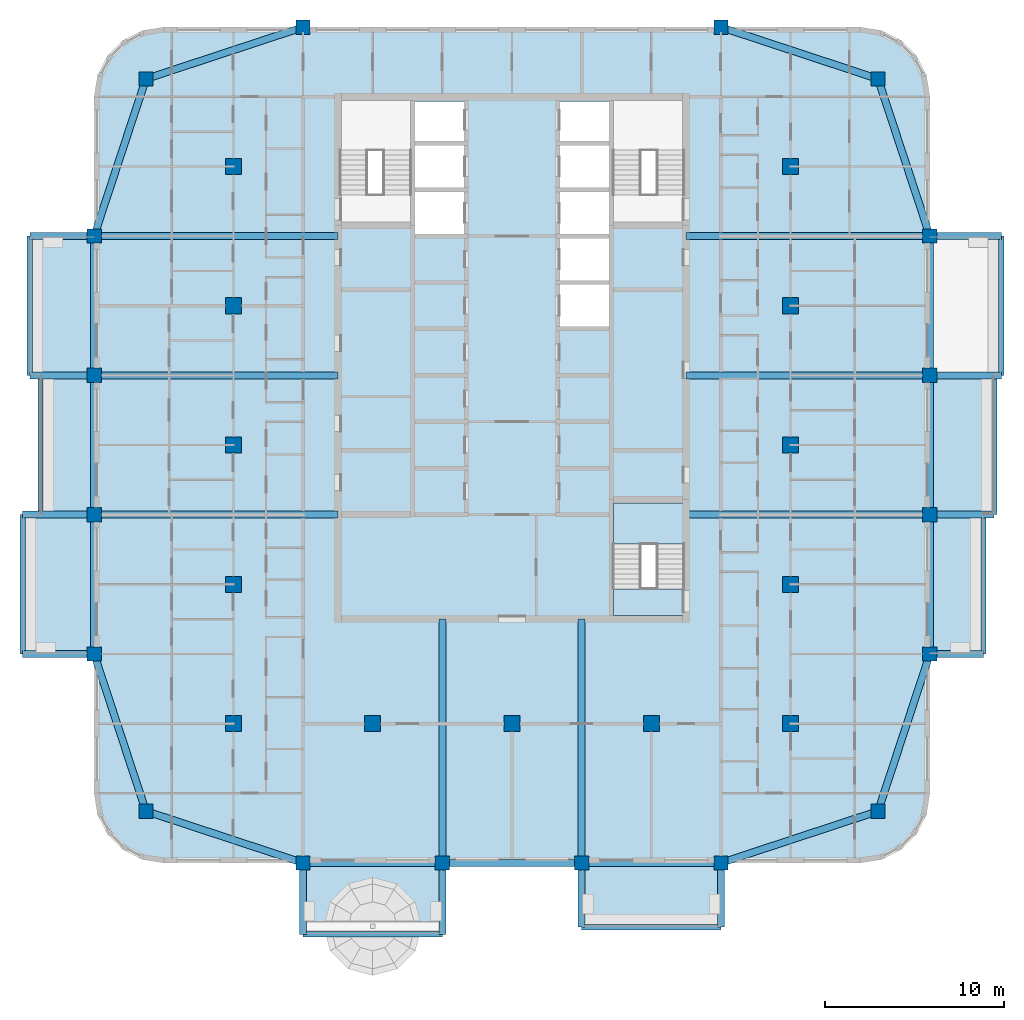
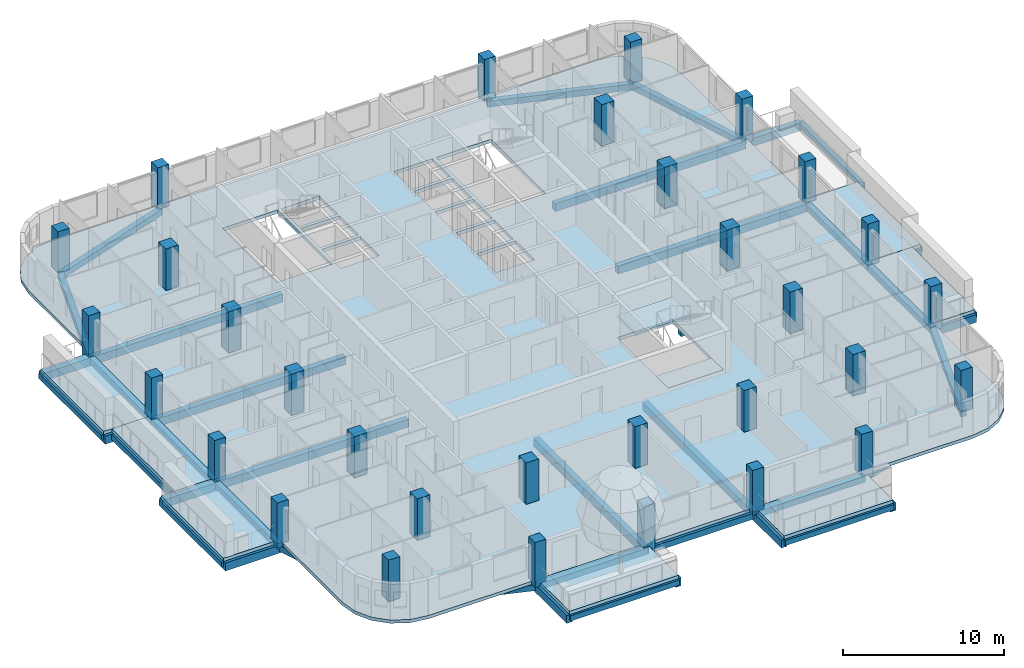
# One storey, part 1 of 17: 45 beams, 31 columns, 10 slabs, 1 element without a shape of its own.
"""IFC4 building model written with IfcOpenShell, lengths in metres."""

import ifcopenshell
import ifcopenshell.guid

model = None  # the IFC model being written
_history = None  # IfcOwnerHistory: only IFC2X3 demands one
_inside = {}  # id of a spatial element -> (the spatial element, [elements in it])
_under = {}  # id of a project, library or spatial element -> (it, [spatial elements below it])
_declared = {}  # id of a project -> (the project, [libraries it declares])
_typed = {}  # id of a type object -> (the type object, [elements of that type])
_made_of = {}  # id of a material, layer set ... -> (it, [elements and type objects made of it])


def new_model(schema):
    """Start an empty IFC model of exactly this schema.

    Asked for "IFC4X3", IfcOpenShell would pick the latest addendum, in which some entities
    have other attributes; the version numbers below select the first issue.
    IFC2X3 requires an IfcOwnerHistory on every rooted entity: one is made here for all.
    """
    global model, _history
    if schema == "IFC4X3":
        model = ifcopenshell.file(schema_version=(4, 3, 0, 0))
    else:
        model = ifcopenshell.file(schema=schema)
    _inside.clear()
    _under.clear()
    _declared.clear()
    _typed.clear()
    _made_of.clear()
    _history = None
    if model.schema == "IFC2X3":
        org = make("IfcOrganization", Name="unknown")
        user = make(
            "IfcPersonAndOrganization",
            ThePerson=make("IfcPerson", FamilyName="unknown"),
            TheOrganization=org,
        )
        app = make(
            "IfcApplication",
            ApplicationDeveloper=org,
            Version="unknown",
            ApplicationFullName="unknown",
            ApplicationIdentifier="unknown",
        )
        _history = make(
            "IfcOwnerHistory",
            OwningUser=user,
            OwningApplication=app,
            ChangeAction="ADDED",
            CreationDate=0,
        )
    return model


def make(cls, **values):
    """One entity of the class cls with the attributes given. An attribute that is None is left unset."""
    return model.create_entity(
        cls, **{name: value for name, value in values.items() if value is not None}
    )


def rooted(cls, **values):
    """An entity with a GlobalId (a new one), such as an element, a storey or a relation."""
    return make(cls, GlobalId=ifcopenshell.guid.new(), OwnerHistory=_history, **values)


def si_unit(unit_type, name, prefix=None):
    """IfcSIUnit, for example si_unit("LENGTHUNIT", "METRE", prefix="MILLI")."""
    return make("IfcSIUnit", UnitType=unit_type, Prefix=prefix, Name=name)


def assignment(units):
    """IfcUnitAssignment: the units of a project."""
    return None if units is None else make("IfcUnitAssignment", Units=units)


def point(xyz):
    """IfcCartesianPoint."""
    return None if xyz is None else make("IfcCartesianPoint", Coordinates=xyz)


def direction(xyz):
    """IfcDirection."""
    return None if xyz is None else make("IfcDirection", DirectionRatios=xyz)


def frame(location, z_axis=None, x_axis=None):
    """IfcAxis2Placement3D, a coordinate frame: its origin and axes. An axis left out is left unset."""
    return make(
        "IfcAxis2Placement3D",
        Location=point(location),
        Axis=direction(z_axis),
        RefDirection=direction(x_axis),
    )


def frame_2d(location, x_axis=None):
    """IfcAxis2Placement2D, a coordinate frame in the plane: its origin and x axis."""
    return make(
        "IfcAxis2Placement2D", Location=point(location), RefDirection=direction(x_axis)
    )


def origin():
    """The frame at (0, 0, 0) with its axes left unset."""
    return frame((0.0, 0.0, 0.0))


def origin_2d():
    """The frame at (0, 0) in the plane with its x axis left unset."""
    return frame_2d((0.0, 0.0))


def place(relative_to, where):
    """IfcLocalPlacement: puts the frame where relative to a parent placement (None: the world)."""
    return make(
        "IfcLocalPlacement", PlacementRelTo=relative_to, RelativePlacement=where
    )


def context(
    kind, dimensions, precision=None, world=None, true_north=None, identifier=None
):
    """IfcGeometricRepresentationContext, for example the 3D "Model" context."""
    return make(
        "IfcGeometricRepresentationContext",
        ContextIdentifier=identifier,
        ContextType=kind,
        CoordinateSpaceDimension=dimensions,
        Precision=precision,
        WorldCoordinateSystem=world,
        TrueNorth=true_north,
    )


def subcontext(parent, identifier, kind, view, scale=None):
    """IfcGeometricRepresentationSubContext, for example "Body" below "Model"."""
    return make(
        "IfcGeometricRepresentationSubContext",
        ContextIdentifier=identifier,
        ContextType=kind,
        ParentContext=parent,
        TargetScale=scale,
        TargetView=view,
    )


def project(units=None, contexts=None):
    """IfcProject with its units and contexts."""
    return rooted(
        "IfcProject",
        Name="project",
        RepresentationContexts=contexts,
        UnitsInContext=assignment(units),
    )


def spatial(cls, under=None, at=None, **own):
    """A site, building, storey or space (cls), placed at a placement, below another one or the project."""
    s = rooted(cls, ObjectPlacement=at, **own)
    if under is not None:
        _under.setdefault(under.id(), (under, []))[1].append(s)
    return s


def polyline(points):
    """IfcPolyline through the points."""
    return make("IfcPolyline", Points=[point(p) for p in points])


def profile(cls, at=None, kind="AREA", **sizes):
    """A parametric profile (cls). Its sizes go by their IFC names, for example OverallWidth=200.0."""
    return make(cls, ProfileType=kind, Position=at, **sizes)


def rectangle(**sizes):
    """IfcRectangleProfileDef."""
    return profile("IfcRectangleProfileDef", **sizes)


def outline(outer, holes=None, kind="AREA"):
    """IfcArbitraryClosedProfileDef: a profile drawn as a closed curve; with holes, ...WithVoids."""
    if holes is None:
        return make("IfcArbitraryClosedProfileDef", ProfileType=kind, OuterCurve=outer)
    return make(
        "IfcArbitraryProfileDefWithVoids",
        ProfileType=kind,
        OuterCurve=outer,
        InnerCurves=holes,
    )


def extrude(swept, where, along, depth):
    """IfcExtrudedAreaSolid: the profile swept, set in the frame where, extruded along a direction by depth."""
    return make(
        "IfcExtrudedAreaSolid",
        SweptArea=swept,
        Position=where,
        ExtrudedDirection=direction(along),
        Depth=depth,
    )


def shape(context_of_items, identifier, shape_type, items):
    """IfcShapeRepresentation: the items that make up one representation, for example the "Body"."""
    return make(
        "IfcShapeRepresentation",
        ContextOfItems=context_of_items,
        RepresentationIdentifier=identifier,
        RepresentationType=shape_type,
        Items=items,
    )


def material(Name=None, Category=None):
    """IfcMaterial."""
    return make("IfcMaterial", Name=Name, Category=Category)


def layer(
    of_material, thickness, ventilated=None, Name=None, Category=None, Priority=None
):
    """IfcMaterialLayer: one layer of a wall or slab, of a material (None: an air gap)."""
    return make(
        "IfcMaterialLayer",
        Material=of_material,
        LayerThickness=thickness,
        IsVentilated=ventilated,
        Name=Name,
        Category=Category,
        Priority=Priority,
    )


def layer_set(layers, Name=None):
    """IfcMaterialLayerSet."""
    return make("IfcMaterialLayerSet", MaterialLayers=layers, LayerSetName=Name)


def material_profile(
    of_material, cross_section, Name=None, Category=None, Priority=None
):
    """IfcMaterialProfile: a cross section and its material."""
    return make(
        "IfcMaterialProfile",
        Name=Name,
        Material=of_material,
        Profile=cross_section,
        Priority=Priority,
        Category=Category,
    )


def profile_set(profiles, Name=None, composite=None):
    """IfcMaterialProfileSet."""
    return make(
        "IfcMaterialProfileSet",
        Name=Name,
        MaterialProfiles=profiles,
        CompositeProfile=composite,
    )


def made_of(thing, what):
    """Note that an element or type object is made of a material, layer set ...; save() writes the relation."""
    if what is not None:
        _made_of.setdefault(what.id(), (what, []))[1].append(thing)
    return thing


def type_object(cls, material=None, **own):
    """A type object (cls), such as IfcWallType, which elements share."""
    return made_of(rooted(cls, **own), material)


def element(
    cls,
    number,
    at=None,
    inside=None,
    cuts=None,
    type_object=None,
    material=None,
    context=None,
    identifier="Body",
    shape_type=None,
    held_by="IfcProductDefinitionShape",
    body=None,
    shapes=None,
    **own,
):
    """One element of the class cls, such as IfcWall. Its Tag is "e" and its number.

    at: its placement. inside: the storey or other place that contains it. cuts: it is an
    opening in that element (IfcRelVoidsElement). A single representation is given by context,
    identifier, shape_type and body (its items); several are given by shapes. held_by: the class
    of the entity that holds the representations. save() writes the other relations.
    """
    e = rooted(cls, Tag="e%d" % number, ObjectPlacement=at, **own)
    if body is not None:
        shapes = [shape(context, identifier, shape_type, body)]
    if shapes is not None:
        e.Representation = make(held_by, Representations=shapes)
    if inside is not None:
        _inside.setdefault(inside.id(), (inside, []))[1].append(e)
    if cuts is not None:
        rooted(
            "IfcRelVoidsElement", RelatingBuildingElement=cuts, RelatedOpeningElement=e
        )
    if type_object is not None:
        _typed.setdefault(type_object.id(), (type_object, []))[1].append(e)
    return made_of(e, material)


def aggregate(whole, parts):
    """IfcRelAggregates: a whole, such as a stair, and the parts it consists of."""
    return rooted("IfcRelAggregates", RelatingObject=whole, RelatedObjects=parts)


def save(model, path):
    """Write the relations noted so far, then the file.

    IfcRelAggregates (storeys below a building ...), IfcRelContainedInSpatialStructure (elements
    in a storey), IfcRelDefinesByType, IfcRelAssociatesMaterial and IfcRelDeclares: one each for
    every whole, place, type object, material and project.
    """
    for whole, parts in _under.values():
        aggregate(whole, parts)
    for where, things in _inside.values():
        rooted(
            "IfcRelContainedInSpatialStructure",
            RelatedElements=things,
            RelatingStructure=where,
        )
    for kind, things in _typed.values():
        rooted("IfcRelDefinesByType", RelatedObjects=things, RelatingType=kind)
    for what, things in _made_of.values():
        rooted("IfcRelAssociatesMaterial", RelatedObjects=things, RelatingMaterial=what)
    for by, libraries in _declared.values():
        rooted("IfcRelDeclares", RelatingContext=by, RelatedDefinitions=libraries)
    model.write(path)


model = new_model("IFC4")

# Units and contexts
model_context = context("Model", 3, precision=1e-05, world=origin(), true_north=direction((0.0, 1.0)))
body_context = subcontext(model_context, "Body", "Model", "MODEL_VIEW")
ifc_project = project(units=[si_unit("LENGTHUNIT", "METRE"), si_unit("AREAUNIT", "SQUARE_METRE"), si_unit("VOLUMEUNIT", "CUBIC_METRE"), si_unit("PLANEANGLEUNIT", "RADIAN"), si_unit("MASSUNIT", "GRAM", prefix="KILO")], contexts=[model_context])

# Site, building, storey
site_placement = place(None, origin())
site = spatial("IfcSite", under=ifc_project, at=site_placement, CompositionType="ELEMENT")
building_placement = place(site_placement, origin())
building = spatial("IfcBuilding", under=site, at=building_placement, Name="Ludao Terraces", CompositionType="ELEMENT")
storey_placement = place(building_placement, frame((0.0, 0.0, 231.300048828125)))
storey = spatial("IfcBuildingStorey", under=building, at=storey_placement, Name="L63", CompositionType="ELEMENT", Elevation=231.300048828125)

# Columns
ifc_material_1 = material(Name="Concrete C50", Category="concrete")
ifc_material_profile_1 = material_profile(ifc_material_1, rectangle(XDim=0.800048828125, YDim=0.800048828125, at=origin_2d()), Name="800 X 800")
ifc_profile_set_1 = profile_set([ifc_material_profile_1], Name="Concrete C50")
column_type_1 = type_object("IfcColumnType", Name="RC column 800x800 C50", PredefinedType="COLUMN", material=ifc_profile_set_1)
for number, where, z_axis, x_axis, name in (
    (1, (64.5, 44.5, -0.25), (0.0, 0.0, 1.0), (1.0, 0.0, 0.0), "Column L63 C0029x0029"),
    (2, (105.5, 44.5, -0.25), (0.0, 0.0, 1.0), (1.0, 0.0, 0.0), "Column L63 C0439x0029"),
    (3, (64.5, 85.5, -0.25), (0.0, 0.0, 1.0), (1.0, 0.0, 0.0), "Column L63 C0029x0439"),
    (4, (105.5, 85.5, -0.25), (0.0, 0.0, 1.0), (1.0, 0.0, 0.0), "Column L63 C0439x0439"),
    (5, (61.60009765625, 53.300048828125, -0.25), (0.0, 0.0, 1.0), (1.0, 0.0, 0.0), "Column L63 F0000x0117"),
    (6, (108.39990234375, 53.300048828125, -0.25), (0.0, 0.0, 1.0), (1.0, 0.0, 0.0), "Column L63 F0468x0117"),
    (7, (73.300048828125, 41.60009765625, -0.25), (0.0, 0.0, 1.0), (1.0, 0.0, 0.0), "Column L63 F0117x0000"),
    (8, (73.300048828125, 88.39990234375, -0.25), (0.0, 0.0, 1.0), (1.0, 0.0, 0.0), "Column L63 F0117x0468"),
    (9, (61.60009765625, 61.10009765625, -0.25), (0.0, 0.0, 1.0), (1.0, 0.0, 0.0), "Column L63 F0000x0195"),
    (10, (108.39990234375, 61.10009765625, -0.25), (0.0, 0.0, 1.0), (1.0, 0.0, 0.0), "Column L63 F0468x0195"),
    (11, (81.10009765625, 41.60009765625, -0.25), (0.0, 0.0, 1.0), (1.0, 0.0, 0.0), "Column L63 F0195x0000"),
    (12, (61.60009765625, 68.89990234375, -0.25), (0.0, 0.0, 1.0), (1.0, 0.0, 0.0), "Column L63 F0000x0273"),
    (13, (108.39990234375, 68.89990234375, -0.25), (0.0, 0.0, 1.0), (1.0, 0.0, 0.0), "Column L63 F0468x0273"),
    (14, (88.89990234375, 41.60009765625, -0.25), (0.0, 0.0, 1.0), (1.0, 0.0, 0.0), "Column L63 F0273x0000"),
    (15, (61.60009765625, 76.699951171875, -0.25), (0.0, 0.0, 1.0), (1.0, 0.0, 0.0), "Column L63 F0000x0351"),
    (16, (108.39990234375, 76.699951171875, -0.25), (0.0, 0.0, 1.0), (1.0, 0.0, 0.0), "Column L63 F0468x0351"),
    (17, (96.699951171875, 41.60009765625, -0.25), (0.0, 0.0, 1.0), (1.0, 0.0, 0.0), "Column L63 F0351x0000"),
    (18, (96.699951171875, 88.39990234375, -0.25), (0.0, 0.0, 1.0), (1.0, 0.0, 0.0), "Column L63 F0351x0468"),
):
    element("IfcColumn", number, at=place(storey_placement, frame(where, z_axis=z_axis, x_axis=x_axis)), inside=storey, type_object=column_type_1, Name=name, PredefinedType="COLUMN", context=body_context, shape_type="SweptSolid", body=[
        extrude(rectangle(XDim=0.800048828125, YDim=0.800048828125, at=origin_2d()), origin(), (0.0, 0.0, 1.0), 3.39990234375),
    ])
ifc_material_profile_2 = material_profile(ifc_material_1, rectangle(XDim=0.89990234375, YDim=0.89990234375, at=origin_2d()), Name="900 X 900")
ifc_profile_set_2 = profile_set([ifc_material_profile_2], Name="Concrete C50")
column_type_2 = type_object("IfcColumnType", Name="RC column 900x900 C50", PredefinedType="COLUMN", material=ifc_profile_set_2)
for number, where, z_axis, x_axis, name in (
    (19, (69.39990234375, 49.39990234375, -0.25), (0.0, 0.0, 1.0), (1.0, 0.0, 0.0), "Column L63 S0078x0078"),
    (20, (69.39990234375, 57.199951171875, -0.25), (0.0, 0.0, 1.0), (1.0, 0.0, 0.0), "Column L63 S0078x0156"),
    (21, (69.39990234375, 65.0, -0.25), (0.0, 0.0, 1.0), (1.0, 0.0, 0.0), "Column L63 S0078x0234"),
    (22, (69.39990234375, 72.800048828125, -0.25), (0.0, 0.0, 1.0), (1.0, 0.0, 0.0), "Column L63 S0078x0312"),
    (23, (69.39990234375, 80.60009765625, -0.25), (0.0, 0.0, 1.0), (1.0, 0.0, 0.0), "Column L63 S0078x0390"),
    (24, (77.199951171875, 49.39990234375, -0.25), (0.0, 0.0, 1.0), (1.0, 0.0, 0.0), "Column L63 S0156x0078"),
    (25, (85.0, 49.39990234375, -0.25), (0.0, 0.0, 1.0), (1.0, 0.0, 0.0), "Column L63 S0234x0078"),
    (26, (92.800048828125, 49.39990234375, -0.25), (0.0, 0.0, 1.0), (1.0, 0.0, 0.0), "Column L63 S0312x0078"),
    (27, (100.60009765625, 49.39990234375, -0.25), (0.0, 0.0, 1.0), (1.0, 0.0, 0.0), "Column L63 S0390x0078"),
    (28, (100.60009765625, 57.199951171875, -0.25), (0.0, 0.0, 1.0), (1.0, 0.0, 0.0), "Column L63 S0390x0156"),
    (29, (100.60009765625, 65.0, -0.25), (0.0, 0.0, 1.0), (1.0, 0.0, 0.0), "Column L63 S0390x0234"),
    (30, (100.60009765625, 72.800048828125, -0.25), (0.0, 0.0, 1.0), (1.0, 0.0, 0.0), "Column L63 S0390x0312"),
    (31, (100.60009765625, 80.60009765625, -0.25), (0.0, 0.0, 1.0), (1.0, 0.0, 0.0), "Column L63 S0390x0390"),
):
    element("IfcColumn", number, at=place(storey_placement, frame(where, z_axis=z_axis, x_axis=x_axis)), inside=storey, type_object=column_type_2, Name=name, PredefinedType="COLUMN", context=body_context, shape_type="SweptSolid", body=[
        extrude(rectangle(XDim=0.89990234375, YDim=0.89990234375, at=origin_2d()), origin(), (0.0, 0.0, 1.0), 3.39990234375),
    ])

# Beams
ifc_material_2 = material(Name="Concrete C40", Category="concrete")
ifc_material_profile_3 = material_profile(ifc_material_2, rectangle(XDim=0.300048828125, YDim=0.39990234375, at=origin_2d()), Name="300 X 400")
ifc_profile_set_3 = profile_set([ifc_material_profile_3], Name="Concrete C40")
beam_type_1 = type_object("IfcBeamType", Name="RC beam 300x400 C40", PredefinedType="BEAM", material=ifc_profile_set_3)
for number, where, z_axis, x_axis, name in (
    (32, (73.300048828125, 37.60009765625, -0.449951171875), (1.0, 0.0, 0.0), (0.0, 1.0, 0.0), "Balcony edge beam L63 S1"),
    (33, (88.89990234375, 38.0, -0.449951171875), (1.0, 0.0, 0.0), (0.0, 1.0, 0.0), "Balcony edge beam L63 S3"),
    (34, (111.39990234375, 53.300048828125, -0.449951171875), (0.0, 1.0, 0.0), (-1.0, 0.0, 0.0), "Balcony edge beam L63 E1"),
):
    element("IfcBeam", number, at=place(storey_placement, frame(where, z_axis=z_axis, x_axis=x_axis)), inside=storey, type_object=beam_type_1, Name=name, PredefinedType="BEAM", context=body_context, shape_type="SweptSolid", body=[
        extrude(rectangle(XDim=0.300048828125, YDim=0.39990234375, at=origin_2d()), origin(), (0.0, 0.0, 1.0), 7.800048828125),
    ])
beam_1_placement = place(storey_placement, frame((112.0, 61.10009765625, -0.449951171875), z_axis=(0.0, 1.0, 0.0), x_axis=(-1.0, 0.0, 0.0)))
element("IfcBeam", 35, at=beam_1_placement, inside=storey, type_object=beam_type_1, Name="Balcony edge beam L63 E2", PredefinedType="BEAM", context=body_context, shape_type="SweptSolid", body=[
    extrude(rectangle(XDim=0.300048828125, YDim=0.39990234375, at=origin_2d()), origin(), (0.0, 0.0, 1.0), 7.7998046875),
])
for number, where, z_axis, x_axis, name in (
    (36, (112.39990234375, 68.89990234375, -0.449951171875), (0.0, 1.0, 0.0), (-1.0, 0.0, 0.0), "Balcony edge beam L63 E3"),
    (37, (57.60009765625, 53.300048828125, -0.449951171875), (0.0, 1.0, 0.0), (-1.0, 0.0, 0.0), "Balcony edge beam L63 W1"),
):
    element("IfcBeam", number, at=place(storey_placement, frame(where, z_axis=z_axis, x_axis=x_axis)), inside=storey, type_object=beam_type_1, Name=name, PredefinedType="BEAM", context=body_context, shape_type="SweptSolid", body=[
        extrude(rectangle(XDim=0.300048828125, YDim=0.39990234375, at=origin_2d()), origin(), (0.0, 0.0, 1.0), 7.800048828125),
    ])
beam_2_placement = place(storey_placement, frame((58.60009765625, 61.10009765625, -0.449951171875), z_axis=(0.0, 1.0, 0.0), x_axis=(-1.0, 0.0, 0.0)))
element("IfcBeam", 38, at=beam_2_placement, inside=storey, type_object=beam_type_1, Name="Balcony edge beam L63 W2", PredefinedType="BEAM", context=body_context, shape_type="SweptSolid", body=[
    extrude(rectangle(XDim=0.300048828125, YDim=0.39990234375, at=origin_2d()), origin(), (0.0, 0.0, 1.0), 7.7998046875),
])
beam_3_placement = place(storey_placement, frame((58.0, 68.89990234375, -0.449951171875), z_axis=(0.0, 1.0, 0.0), x_axis=(-1.0, 0.0, 0.0)))
element("IfcBeam", 39, at=beam_3_placement, inside=storey, type_object=beam_type_1, Name="Balcony edge beam L63 W3", PredefinedType="BEAM", context=body_context, shape_type="SweptSolid", body=[
    extrude(rectangle(XDim=0.300048828125, YDim=0.39990234375, at=origin_2d()), origin(), (0.0, 0.0, 1.0), 7.800048828125),
])
ifc_material_profile_4 = material_profile(ifc_material_2, rectangle(XDim=0.39990234375, YDim=0.449951171875, at=origin_2d()), Name="400 X 450")
ifc_profile_set_4 = profile_set([ifc_material_profile_4], Name="Concrete C40")
beam_type_2 = type_object("IfcBeamType", Name="RC beam 400x450 C40", PredefinedType="BEAM", material=ifc_profile_set_4)
beam_4_placement = place(storey_placement, frame((64.5, 44.5, -0.47509765625), z_axis=(0.949760691408, -0.312977042379, 0.0), x_axis=(0.312977042379, 0.949760691408, 0.0)))
element("IfcBeam", 40, at=beam_4_placement, inside=storey, type_object=beam_type_2, Name="Spandrel beam L63 S1", PredefinedType="BEAM", context=body_context, shape_type="SweptSolid", body=[
    extrude(rectangle(XDim=0.39990234375, YDim=0.449951171875, at=origin_2d()), origin(), (0.0, 0.0, 1.0), 9.265625),
])
beam_5_placement = place(storey_placement, frame((73.300048828125, 41.60009765625, -0.47509765625), z_axis=(1.0, 0.0, 0.0), x_axis=(0.0, 1.0, 0.0)))
element("IfcBeam", 41, at=beam_5_placement, inside=storey, type_object=beam_type_2, Name="Spandrel beam L63 S2", PredefinedType="BEAM", context=body_context, shape_type="SweptSolid", body=[
    extrude(rectangle(XDim=0.39990234375, YDim=0.449951171875, at=origin_2d()), origin(), (0.0, 0.0, 1.0), 7.800048828125),
])
beam_6_placement = place(storey_placement, frame((81.10009765625, 41.60009765625, -0.47509765625), z_axis=(1.0, 0.0, 0.0), x_axis=(0.0, 1.0, 0.0)))
element("IfcBeam", 42, at=beam_6_placement, inside=storey, type_object=beam_type_2, Name="Spandrel beam L63 S3", PredefinedType="BEAM", context=body_context, shape_type="SweptSolid", body=[
    extrude(rectangle(XDim=0.39990234375, YDim=0.449951171875, at=origin_2d()), origin(), (0.0, 0.0, 1.0), 7.7998046875),
])
beam_7_placement = place(storey_placement, frame((88.89990234375, 41.60009765625, -0.47509765625), z_axis=(1.0, 0.0, 0.0), x_axis=(0.0, 1.0, 0.0)))
element("IfcBeam", 43, at=beam_7_placement, inside=storey, type_object=beam_type_2, Name="Spandrel beam L63 S4", PredefinedType="BEAM", context=body_context, shape_type="SweptSolid", body=[
    extrude(rectangle(XDim=0.39990234375, YDim=0.449951171875, at=origin_2d()), origin(), (0.0, 0.0, 1.0), 7.800048828125),
])
for number, where, z_axis, x_axis, name in (
    (44, (96.699951171875, 41.60009765625, -0.47509765625), (0.949760691408, 0.312977042379, 0.0), (-0.312977042379, 0.949760691408, 0.0), "Spandrel beam L63 S5"),
    (45, (64.5, 85.5, -0.47509765625), (0.949760691408, 0.312977042379, 0.0), (-0.312977042379, 0.949760691408, 0.0), "Spandrel beam L63 N6"),
    (46, (96.699951171875, 88.39990234375, -0.47509765625), (0.949760691408, -0.312977042379, 0.0), (0.312977042379, 0.949760691408, 0.0), "Spandrel beam L63 N7"),
    (47, (64.5, 44.5, -0.47509765625), (-0.312977042379, 0.949760691408, 0.0), (-0.949760691408, -0.312977042379, 0.0), "Spandrel beam L63 W8"),
):
    element("IfcBeam", number, at=place(storey_placement, frame(where, z_axis=z_axis, x_axis=x_axis)), inside=storey, type_object=beam_type_2, Name=name, PredefinedType="BEAM", context=body_context, shape_type="SweptSolid", body=[
        extrude(rectangle(XDim=0.39990234375, YDim=0.449951171875, at=origin_2d()), origin(), (0.0, 0.0, 1.0), 9.265625),
    ])
beam_8_placement = place(storey_placement, frame((61.60009765625, 53.300048828125, -0.47509765625), z_axis=(0.0, 1.0, 0.0), x_axis=(-1.0, 0.0, 0.0)))
element("IfcBeam", 48, at=beam_8_placement, inside=storey, type_object=beam_type_2, Name="Spandrel beam L63 W9", PredefinedType="BEAM", context=body_context, shape_type="SweptSolid", body=[
    extrude(rectangle(XDim=0.39990234375, YDim=0.449951171875, at=origin_2d()), origin(), (0.0, 0.0, 1.0), 7.800048828125),
])
beam_9_placement = place(storey_placement, frame((61.60009765625, 61.10009765625, -0.47509765625), z_axis=(0.0, 1.0, 0.0), x_axis=(-1.0, 0.0, 0.0)))
element("IfcBeam", 49, at=beam_9_placement, inside=storey, type_object=beam_type_2, Name="Spandrel beam L63 W10", PredefinedType="BEAM", context=body_context, shape_type="SweptSolid", body=[
    extrude(rectangle(XDim=0.39990234375, YDim=0.449951171875, at=origin_2d()), origin(), (0.0, 0.0, 1.0), 7.7998046875),
])
beam_10_placement = place(storey_placement, frame((61.60009765625, 68.89990234375, -0.47509765625), z_axis=(0.0, 1.0, 0.0), x_axis=(-1.0, 0.0, 0.0)))
element("IfcBeam", 50, at=beam_10_placement, inside=storey, type_object=beam_type_2, Name="Spandrel beam L63 W11", PredefinedType="BEAM", context=body_context, shape_type="SweptSolid", body=[
    extrude(rectangle(XDim=0.39990234375, YDim=0.449951171875, at=origin_2d()), origin(), (0.0, 0.0, 1.0), 7.800048828125),
])
for number, where, z_axis, x_axis, name in (
    (51, (61.60009765625, 76.699951171875, -0.47509765625), (0.312977042379, 0.949760691408, 0.0), (-0.949760691408, 0.312977042379, 0.0), "Spandrel beam L63 W12"),
    (52, (105.5, 44.5, -0.47509765625), (0.312977042379, 0.949760691408, 0.0), (-0.949760691408, 0.312977042379, 0.0), "Spandrel beam L63 E13"),
):
    element("IfcBeam", number, at=place(storey_placement, frame(where, z_axis=z_axis, x_axis=x_axis)), inside=storey, type_object=beam_type_2, Name=name, PredefinedType="BEAM", context=body_context, shape_type="SweptSolid", body=[
        extrude(rectangle(XDim=0.39990234375, YDim=0.449951171875, at=origin_2d()), origin(), (0.0, 0.0, 1.0), 9.265625),
    ])
beam_11_placement = place(storey_placement, frame((108.39990234375, 53.300048828125, -0.47509765625), z_axis=(0.0, 1.0, 0.0), x_axis=(-1.0, 0.0, 0.0)))
element("IfcBeam", 53, at=beam_11_placement, inside=storey, type_object=beam_type_2, Name="Spandrel beam L63 E14", PredefinedType="BEAM", context=body_context, shape_type="SweptSolid", body=[
    extrude(rectangle(XDim=0.39990234375, YDim=0.449951171875, at=origin_2d()), origin(), (0.0, 0.0, 1.0), 7.800048828125),
])
beam_12_placement = place(storey_placement, frame((108.39990234375, 61.10009765625, -0.47509765625), z_axis=(0.0, 1.0, 0.0), x_axis=(-1.0, 0.0, 0.0)))
element("IfcBeam", 54, at=beam_12_placement, inside=storey, type_object=beam_type_2, Name="Spandrel beam L63 E15", PredefinedType="BEAM", context=body_context, shape_type="SweptSolid", body=[
    extrude(rectangle(XDim=0.39990234375, YDim=0.449951171875, at=origin_2d()), origin(), (0.0, 0.0, 1.0), 7.7998046875),
])
beam_13_placement = place(storey_placement, frame((108.39990234375, 68.89990234375, -0.47509765625), z_axis=(0.0, 1.0, 0.0), x_axis=(-1.0, 0.0, 0.0)))
element("IfcBeam", 55, at=beam_13_placement, inside=storey, type_object=beam_type_2, Name="Spandrel beam L63 E16", PredefinedType="BEAM", context=body_context, shape_type="SweptSolid", body=[
    extrude(rectangle(XDim=0.39990234375, YDim=0.449951171875, at=origin_2d()), origin(), (0.0, 0.0, 1.0), 7.800048828125),
])
beam_14_placement = place(storey_placement, frame((108.39990234375, 76.699951171875, -0.47509765625), z_axis=(-0.312977042379, 0.949760691408, 0.0), x_axis=(-0.949760691408, -0.312977042379, 0.0)))
element("IfcBeam", 56, at=beam_14_placement, inside=storey, type_object=beam_type_2, Name="Spandrel beam L63 E17", PredefinedType="BEAM", context=body_context, shape_type="SweptSolid", body=[
    extrude(rectangle(XDim=0.39990234375, YDim=0.449951171875, at=origin_2d()), origin(), (0.0, 0.0, 1.0), 9.265625),
])
ifc_material_profile_5 = material_profile(ifc_material_2, rectangle(XDim=0.39990234375, YDim=0.60009765625, at=origin_2d()), Name="400 X 600")
ifc_profile_set_5 = profile_set([ifc_material_profile_5], Name="Concrete C40")
beam_type_3 = type_object("IfcBeamType", Name="RC beam 400x600 C40", PredefinedType="BEAM", material=ifc_profile_set_5)
beam_15_placement = place(storey_placement, frame((108.39990234375, 53.300048828125, -0.550048828125), z_axis=(1.0, 0.0, 0.0), x_axis=(0.0, 1.0, 0.0)))
element("IfcBeam", 57, at=beam_15_placement, inside=storey, type_object=beam_type_3, Name="Balcony beam L63 E533", PredefinedType="BEAM", context=body_context, shape_type="SweptSolid", body=[
    extrude(rectangle(XDim=0.39990234375, YDim=0.60009765625, at=origin_2d()), origin(), (0.0, 0.0, 1.0), 3.0),
])
beam_16_placement = place(storey_placement, frame((94.75, 61.10009765625, -0.550048828125), z_axis=(1.0, 0.0, 0.0), x_axis=(0.0, 1.0, 0.0)))
element("IfcBeam", 58, at=beam_16_placement, inside=storey, type_object=beam_type_3, Name="Balcony beam L63 E611", PredefinedType="BEAM", context=body_context, shape_type="SweptSolid", body=[
    extrude(rectangle(XDim=0.39990234375, YDim=0.60009765625, at=origin_2d()), origin(), (0.0, 0.0, 1.0), 13.64990234375),
])
beam_17_placement = place(storey_placement, frame((108.39990234375, 61.10009765625, -0.550048828125), z_axis=(1.0, 0.0, 0.0), x_axis=(0.0, 1.0, 0.0)))
element("IfcBeam", 59, at=beam_17_placement, inside=storey, type_object=beam_type_3, Name="Balcony beam L63 E611", PredefinedType="BEAM", context=body_context, shape_type="SweptSolid", body=[
    extrude(rectangle(XDim=0.39990234375, YDim=0.60009765625, at=origin_2d()), origin(), (0.0, 0.0, 1.0), 3.60009765625),
])
beam_18_placement = place(storey_placement, frame((94.75, 68.89990234375, -0.550048828125), z_axis=(1.0, 0.0, 0.0), x_axis=(0.0, 1.0, 0.0)))
element("IfcBeam", 60, at=beam_18_placement, inside=storey, type_object=beam_type_3, Name="Balcony beam L63 E689", PredefinedType="BEAM", context=body_context, shape_type="SweptSolid", body=[
    extrude(rectangle(XDim=0.39990234375, YDim=0.60009765625, at=origin_2d()), origin(), (0.0, 0.0, 1.0), 13.64990234375),
])
beam_19_placement = place(storey_placement, frame((108.39990234375, 68.89990234375, -0.550048828125), z_axis=(1.0, 0.0, 0.0), x_axis=(0.0, 1.0, 0.0)))
element("IfcBeam", 61, at=beam_19_placement, inside=storey, type_object=beam_type_3, Name="Balcony beam L63 E689", PredefinedType="BEAM", context=body_context, shape_type="SweptSolid", body=[
    extrude(rectangle(XDim=0.39990234375, YDim=0.60009765625, at=origin_2d()), origin(), (0.0, 0.0, 1.0), 4.0),
])
beam_20_placement = place(storey_placement, frame((94.75, 76.699951171875, -0.550048828125), z_axis=(1.0, 0.0, 0.0), x_axis=(0.0, 1.0, 0.0)))
element("IfcBeam", 62, at=beam_20_placement, inside=storey, type_object=beam_type_3, Name="Balcony beam L63 E767", PredefinedType="BEAM", context=body_context, shape_type="SweptSolid", body=[
    extrude(rectangle(XDim=0.39990234375, YDim=0.60009765625, at=origin_2d()), origin(), (0.0, 0.0, 1.0), 13.64990234375),
])
for number, where, z_axis, x_axis, name in (
    (63, (108.39990234375, 76.699951171875, -0.550048828125), (1.0, 0.0, 0.0), (0.0, 1.0, 0.0), "Balcony beam L63 E767"),
    (64, (73.300048828125, 41.60009765625, -0.550048828125), (0.0, -1.0, 0.0), (1.0, 0.0, 0.0), "Balcony beam L63 S733"),
):
    element("IfcBeam", number, at=place(storey_placement, frame(where, z_axis=z_axis, x_axis=x_axis)), inside=storey, type_object=beam_type_3, Name=name, PredefinedType="BEAM", context=body_context, shape_type="SweptSolid", body=[
        extrude(rectangle(XDim=0.39990234375, YDim=0.60009765625, at=origin_2d()), origin(), (0.0, 0.0, 1.0), 4.0),
    ])
beam_21_placement = place(storey_placement, frame((81.10009765625, 55.25, -0.550048828125), z_axis=(0.0, -1.0, 0.0), x_axis=(1.0, 0.0, 0.0)))
element("IfcBeam", 65, at=beam_21_placement, inside=storey, type_object=beam_type_3, Name="Balcony beam L63 S811", PredefinedType="BEAM", context=body_context, shape_type="SweptSolid", body=[
    extrude(rectangle(XDim=0.39990234375, YDim=0.60009765625, at=origin_2d()), origin(), (0.0, 0.0, 1.0), 13.64990234375),
])
beam_22_placement = place(storey_placement, frame((81.10009765625, 41.60009765625, -0.550048828125), z_axis=(0.0, -1.0, 0.0), x_axis=(1.0, 0.0, 0.0)))
element("IfcBeam", 66, at=beam_22_placement, inside=storey, type_object=beam_type_3, Name="Balcony beam L63 S811", PredefinedType="BEAM", context=body_context, shape_type="SweptSolid", body=[
    extrude(rectangle(XDim=0.39990234375, YDim=0.60009765625, at=origin_2d()), origin(), (0.0, 0.0, 1.0), 4.0),
])
beam_23_placement = place(storey_placement, frame((88.89990234375, 55.25, -0.550048828125), z_axis=(0.0, -1.0, 0.0), x_axis=(1.0, 0.0, 0.0)))
element("IfcBeam", 67, at=beam_23_placement, inside=storey, type_object=beam_type_3, Name="Balcony beam L63 S889", PredefinedType="BEAM", context=body_context, shape_type="SweptSolid", body=[
    extrude(rectangle(XDim=0.39990234375, YDim=0.60009765625, at=origin_2d()), origin(), (0.0, 0.0, 1.0), 13.64990234375),
])
for number, where, z_axis, x_axis, name in (
    (68, (88.89990234375, 41.60009765625, -0.550048828125), (0.0, -1.0, 0.0), (1.0, 0.0, 0.0), "Balcony beam L63 S889"),
    (69, (96.699951171875, 41.60009765625, -0.550048828125), (0.0, -1.0, 0.0), (1.0, 0.0, 0.0), "Balcony beam L63 S967"),
):
    element("IfcBeam", number, at=place(storey_placement, frame(where, z_axis=z_axis, x_axis=x_axis)), inside=storey, type_object=beam_type_3, Name=name, PredefinedType="BEAM", context=body_context, shape_type="SweptSolid", body=[
        extrude(rectangle(XDim=0.39990234375, YDim=0.60009765625, at=origin_2d()), origin(), (0.0, 0.0, 1.0), 3.60009765625),
    ])
beam_24_placement = place(storey_placement, frame((61.60009765625, 53.300048828125, -0.550048828125), z_axis=(-1.0, 0.0, 0.0), x_axis=(0.0, -1.0, 0.0)))
element("IfcBeam", 70, at=beam_24_placement, inside=storey, type_object=beam_type_3, Name="Balcony beam L63 W533", PredefinedType="BEAM", context=body_context, shape_type="SweptSolid", body=[
    extrude(rectangle(XDim=0.39990234375, YDim=0.60009765625, at=origin_2d()), origin(), (0.0, 0.0, 1.0), 4.0),
])
beam_25_placement = place(storey_placement, frame((75.25, 61.10009765625, -0.550048828125), z_axis=(-1.0, 0.0, 0.0), x_axis=(0.0, -1.0, 0.0)))
element("IfcBeam", 71, at=beam_25_placement, inside=storey, type_object=beam_type_3, Name="Balcony beam L63 W611", PredefinedType="BEAM", context=body_context, shape_type="SweptSolid", body=[
    extrude(rectangle(XDim=0.39990234375, YDim=0.60009765625, at=origin_2d()), origin(), (0.0, 0.0, 1.0), 13.64990234375),
])
beam_26_placement = place(storey_placement, frame((61.60009765625, 61.10009765625, -0.550048828125), z_axis=(-1.0, 0.0, 0.0), x_axis=(0.0, -1.0, 0.0)))
element("IfcBeam", 72, at=beam_26_placement, inside=storey, type_object=beam_type_3, Name="Balcony beam L63 W611", PredefinedType="BEAM", context=body_context, shape_type="SweptSolid", body=[
    extrude(rectangle(XDim=0.39990234375, YDim=0.60009765625, at=origin_2d()), origin(), (0.0, 0.0, 1.0), 4.0),
])
beam_27_placement = place(storey_placement, frame((75.25, 68.89990234375, -0.550048828125), z_axis=(-1.0, 0.0, 0.0), x_axis=(0.0, -1.0, 0.0)))
element("IfcBeam", 73, at=beam_27_placement, inside=storey, type_object=beam_type_3, Name="Balcony beam L63 W689", PredefinedType="BEAM", context=body_context, shape_type="SweptSolid", body=[
    extrude(rectangle(XDim=0.39990234375, YDim=0.60009765625, at=origin_2d()), origin(), (0.0, 0.0, 1.0), 13.64990234375),
])
beam_28_placement = place(storey_placement, frame((61.60009765625, 68.89990234375, -0.550048828125), z_axis=(-1.0, 0.0, 0.0), x_axis=(0.0, -1.0, 0.0)))
element("IfcBeam", 74, at=beam_28_placement, inside=storey, type_object=beam_type_3, Name="Balcony beam L63 W689", PredefinedType="BEAM", context=body_context, shape_type="SweptSolid", body=[
    extrude(rectangle(XDim=0.39990234375, YDim=0.60009765625, at=origin_2d()), origin(), (0.0, 0.0, 1.0), 3.60009765625),
])
beam_29_placement = place(storey_placement, frame((75.25, 76.699951171875, -0.550048828125), z_axis=(-1.0, 0.0, 0.0), x_axis=(0.0, -1.0, 0.0)))
element("IfcBeam", 75, at=beam_29_placement, inside=storey, type_object=beam_type_3, Name="Balcony beam L63 W767", PredefinedType="BEAM", context=body_context, shape_type="SweptSolid", body=[
    extrude(rectangle(XDim=0.39990234375, YDim=0.60009765625, at=origin_2d()), origin(), (0.0, 0.0, 1.0), 13.64990234375),
])
beam_30_placement = place(storey_placement, frame((61.60009765625, 76.699951171875, -0.550048828125), z_axis=(-1.0, 0.0, 0.0), x_axis=(0.0, -1.0, 0.0)))
element("IfcBeam", 76, at=beam_30_placement, inside=storey, type_object=beam_type_3, Name="Balcony beam L63 W767", PredefinedType="BEAM", context=body_context, shape_type="SweptSolid", body=[
    extrude(rectangle(XDim=0.39990234375, YDim=0.60009765625, at=origin_2d()), origin(), (0.0, 0.0, 1.0), 3.60009765625),
])

# Slabs
ifc_layer_1 = layer(ifc_material_2, 0.25)
ifc_layer_set_1 = layer_set([ifc_layer_1], Name="Balcony slab 250 C40")
slab_type_1 = type_object("IfcSlabType", Name="Balcony slab 250 C40", PredefinedType="USERDEFINED", material=ifc_layer_set_1)
slab_1_placement = place(storey_placement, frame((0.0, 0.0, -0.25)))
element("IfcSlab", 77, at=slab_1_placement, inside=storey, type_object=slab_type_1, Name="Balcony L63 S1", ObjectType="BALCONY", PredefinedType="USERDEFINED", context=body_context, shape_type="SweptSolid", body=[
    extrude(outline(polyline([(73.300048828125, 37.60009765625), (81.10009765625, 37.60009765625), (81.10009765625, 41.60009765625), (73.300048828125, 41.60009765625), (73.300048828125, 37.60009765625)])), origin(), (0.0, 0.0, 1.0), 0.25),
])
slab_2_placement = place(storey_placement, frame((0.0, 0.0, -0.25)))
element("IfcSlab", 78, at=slab_2_placement, inside=storey, type_object=slab_type_1, Name="Balcony L63 S3", ObjectType="BALCONY", PredefinedType="USERDEFINED", context=body_context, shape_type="SweptSolid", body=[
    extrude(outline(polyline([(88.89990234375, 38.0), (96.699951171875, 38.0), (96.699951171875, 41.60009765625), (88.89990234375, 41.60009765625), (88.89990234375, 38.0)])), origin(), (0.0, 0.0, 1.0), 0.25),
])
slab_3_placement = place(storey_placement, frame((0.0, 0.0, -0.25)))
element("IfcSlab", 79, at=slab_3_placement, inside=storey, type_object=slab_type_1, Name="Balcony L63 E1", ObjectType="BALCONY", PredefinedType="USERDEFINED", context=body_context, shape_type="SweptSolid", body=[
    extrude(outline(polyline([(108.39990234375, 53.300048828125), (111.39990234375, 53.300048828125), (111.39990234375, 61.10009765625), (108.39990234375, 61.10009765625), (108.39990234375, 53.300048828125)])), origin(), (0.0, 0.0, 1.0), 0.25),
])
slab_4_placement = place(storey_placement, frame((0.0, 0.0, -0.25)))
element("IfcSlab", 80, at=slab_4_placement, inside=storey, type_object=slab_type_1, Name="Balcony L63 E2", ObjectType="BALCONY", PredefinedType="USERDEFINED", context=body_context, shape_type="SweptSolid", body=[
    extrude(outline(polyline([(108.39990234375, 61.10009765625), (112.0, 61.10009765625), (112.0, 68.89990234375), (108.39990234375, 68.89990234375), (108.39990234375, 61.10009765625)])), origin(), (0.0, 0.0, 1.0), 0.25),
])
slab_5_placement = place(storey_placement, frame((0.0, 0.0, -0.25)))
element("IfcSlab", 81, at=slab_5_placement, inside=storey, type_object=slab_type_1, Name="Balcony L63 W1", ObjectType="BALCONY", PredefinedType="USERDEFINED", context=body_context, shape_type="SweptSolid", body=[
    extrude(outline(polyline([(57.60009765625, 53.300048828125), (61.60009765625, 53.300048828125), (61.60009765625, 61.10009765625), (57.60009765625, 61.10009765625), (57.60009765625, 53.300048828125)])), origin(), (0.0, 0.0, 1.0), 0.25),
])
slab_6_placement = place(storey_placement, frame((0.0, 0.0, -0.25)))
element("IfcSlab", 82, at=slab_6_placement, inside=storey, type_object=slab_type_1, Name="Balcony L63 W2", ObjectType="BALCONY", PredefinedType="USERDEFINED", context=body_context, shape_type="SweptSolid", body=[
    extrude(outline(polyline([(58.60009765625, 61.10009765625), (61.60009765625, 61.10009765625), (61.60009765625, 68.89990234375), (58.60009765625, 68.89990234375), (58.60009765625, 61.10009765625)])), origin(), (0.0, 0.0, 1.0), 0.25),
])
slab_7_placement = place(storey_placement, frame((0.0, 0.0, -0.25)))
element("IfcSlab", 83, at=slab_7_placement, inside=storey, type_object=slab_type_1, Name="Balcony L63 W3", ObjectType="BALCONY", PredefinedType="USERDEFINED", context=body_context, shape_type="SweptSolid", body=[
    extrude(outline(polyline([(58.0, 68.89990234375), (61.60009765625, 68.89990234375), (61.60009765625, 76.699951171875), (58.0, 76.699951171875), (58.0, 68.89990234375)])), origin(), (0.0, 0.0, 1.0), 0.25),
])
ifc_layer_2 = layer(ifc_material_2, 0.25)
ifc_layer_set_2 = layer_set([ifc_layer_2], Name="Floor slab 250 C40")
slab_type_2 = type_object("IfcSlabType", Name="Floor slab 250 C40", PredefinedType="FLOOR", material=ifc_layer_set_2)
slab_8_placement = place(storey_placement, frame((0.0, 0.0, -0.25)))
element("IfcSlab", 84, at=slab_8_placement, inside=storey, type_object=slab_type_2, Name="Slab L63", PredefinedType="FLOOR", context=body_context, shape_type="SweptSolid", body=[
    extrude(outline(polyline([(104.5, 41.60009765625), (105.705078125, 41.790771484375), (106.79248046875, 42.3447265625), (107.6552734375, 43.20751953125), (108.209228515625, 44.294921875), (108.39990234375, 45.5), (108.39990234375, 84.5), (108.209228515625, 85.705078125), (107.6552734375, 86.79248046875), (106.79248046875, 87.6552734375), (105.705078125, 88.209228515625), (104.5, 88.39990234375), (65.5, 88.39990234375), (64.294921875, 88.209228515625), (63.20751953125, 87.6552734375), (62.3447265625, 86.79248046875), (61.790771484375, 85.705078125), (61.60009765625, 84.5), (61.60009765625, 45.5), (61.790771484375, 44.294921875), (62.3447265625, 43.20751953125), (63.20751953125, 42.3447265625), (64.294921875, 41.790771484375), (65.5, 41.60009765625), (104.5, 41.60009765625)]), holes=[polyline([(79.574951171875, 76.824951171875), (82.324951171875, 76.824951171875), (82.324951171875, 79.175048828125), (79.574951171875, 79.175048828125), (79.574951171875, 76.824951171875)]), polyline([(79.574951171875, 79.425048828125), (82.324951171875, 79.425048828125), (82.324951171875, 81.77490234375), (79.574951171875, 81.77490234375), (79.574951171875, 79.425048828125)]), polyline([(79.574951171875, 82.02490234375), (82.324951171875, 82.02490234375), (82.324951171875, 84.239990234375), (79.574951171875, 84.239990234375), (79.574951171875, 82.02490234375)]), polyline([(87.675048828125, 71.625), (90.425048828125, 71.625), (90.425048828125, 73.97509765625), (87.675048828125, 73.97509765625), (87.675048828125, 71.625)]), polyline([(87.675048828125, 74.22509765625), (90.425048828125, 74.22509765625), (90.425048828125, 76.574951171875), (87.675048828125, 76.574951171875), (87.675048828125, 74.22509765625)]), polyline([(87.675048828125, 76.824951171875), (90.425048828125, 76.824951171875), (90.425048828125, 79.175048828125), (87.675048828125, 79.175048828125), (87.675048828125, 76.824951171875)]), polyline([(87.675048828125, 79.425048828125), (90.425048828125, 79.425048828125), (90.425048828125, 81.77490234375), (87.675048828125, 81.77490234375), (87.675048828125, 79.425048828125)]), polyline([(87.675048828125, 82.02490234375), (90.425048828125, 82.02490234375), (90.425048828125, 84.239990234375), (87.675048828125, 84.239990234375), (87.675048828125, 82.02490234375)]), polyline([(75.375, 77.5), (79.324951171875, 77.5), (79.324951171875, 84.239990234375), (75.375, 84.239990234375), (75.375, 77.5)]), polyline([(90.675048828125, 77.5), (94.625, 77.5), (94.625, 84.239990234375), (90.675048828125, 84.239990234375), (90.675048828125, 77.5)]), polyline([(90.675048828125, 55.449951171875), (94.625, 55.449951171875), (94.625, 61.75), (90.675048828125, 61.75), (90.675048828125, 55.449951171875)])]), origin(), (0.0, 0.0, 1.0), 0.25),
])

# Stair, slabs
stair_type = type_object("IfcStairType", Name="INT Stair", PredefinedType="HALF_TURN_STAIR", material=ifc_material_2)
stair_placement = place(storey_placement, origin())
stair = element("IfcStair", 85, at=stair_placement, inside=storey, type_object=stair_type, Name="EXIT STAIR 3", PredefinedType="HALF_TURN_STAIR")
ifc_layer_3 = layer(ifc_material_2, 0.199951171875)
ifc_layer_set_3 = layer_set([ifc_layer_3], Name="INT Stair landing 200")
slab_type_3 = type_object("IfcSlabType", Name="INT Stair landing 200", PredefinedType="LANDING", material=ifc_layer_set_3)
slab_9_placement = place(storey_placement, frame((0.0, 0.0, 1.5)))
slab_9 = element("IfcSlab", 86, at=slab_9_placement, type_object=slab_type_3, Name="ST3 landing 1", PredefinedType="LANDING", context=body_context, shape_type="SweptSolid", body=[
    extrude(outline(polyline([(90.675048828125, 59.469970703125), (94.625, 59.469970703125), (94.625, 61.75), (90.675048828125, 61.75), (90.675048828125, 59.469970703125)])), origin(), (0.0, 0.0, 1.0), 0.199951171875),
])
slab_10_placement = place(storey_placement, frame((0.0, 0.0, -0.199951171875)))
slab_10 = element("IfcSlab", 87, at=slab_10_placement, type_object=slab_type_3, Name="ST3 landing 2", PredefinedType="LANDING", context=body_context, shape_type="SweptSolid", body=[
    extrude(outline(polyline([(90.675048828125, 55.449951171875), (94.625, 55.449951171875), (94.625, 56.949951171875), (90.675048828125, 56.949951171875), (90.675048828125, 55.449951171875)])), origin(), (0.0, 0.0, 1.0), 0.199951171875),
])
aggregate(stair, [slab_9, slab_10])

save(model, "model.ifc")
